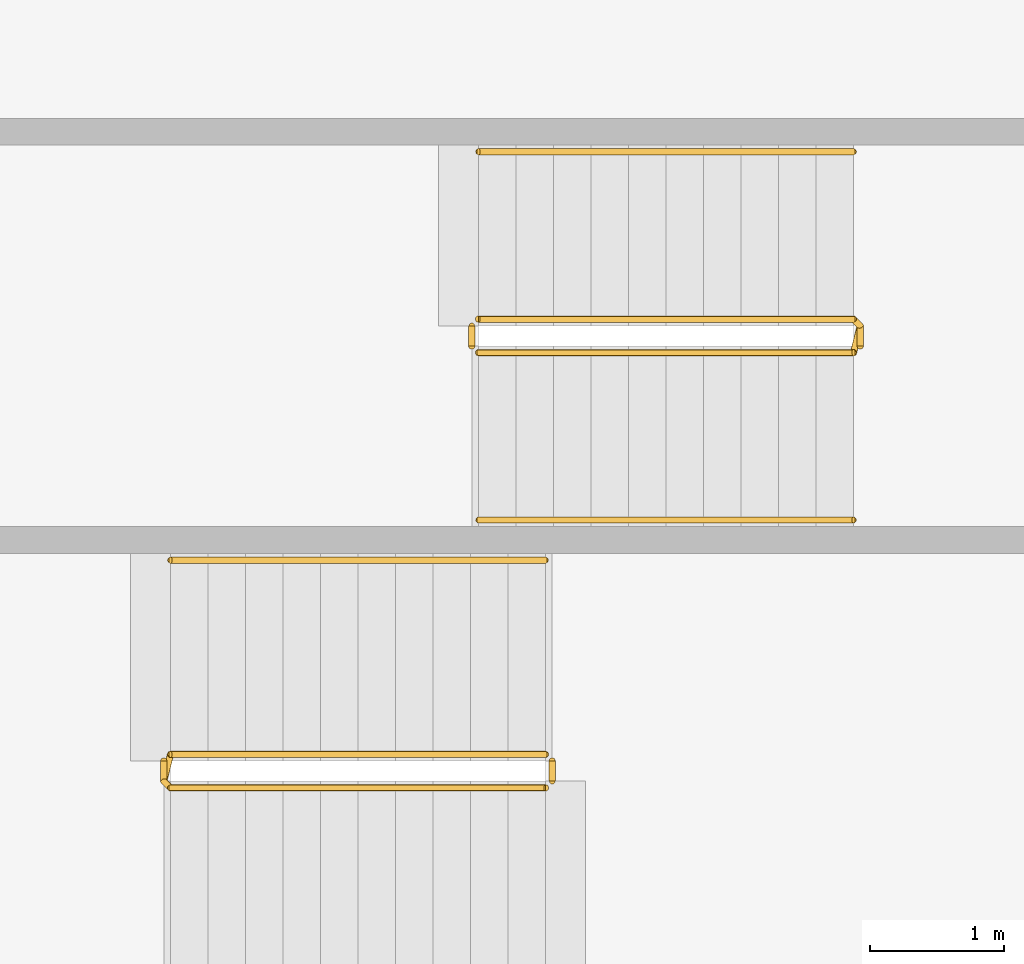
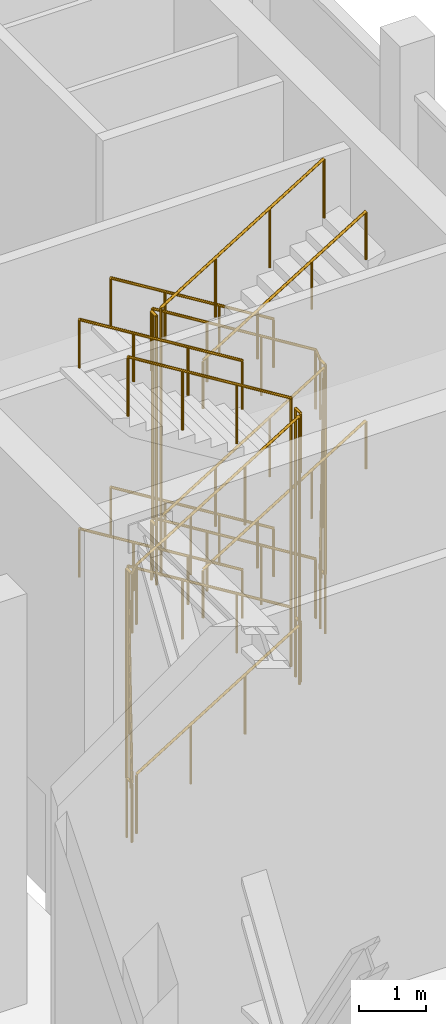
# One storey, part 15 of 15: 10 railings.
"""IFC4 building model written with IfcOpenShell, lengths in metres."""

from ifc_helpers import new_model, si_unit, direction, frame, origin, origin_2d, place, context, subcontext, project, spatial, circle, extrude, material, type_object, element, save


model = new_model("IFC4")

# Units and contexts
model_context = context("Model", 3, precision=1e-05, world=origin(), true_north=direction((0.0, 1.0)))
body_context = subcontext(model_context, "Body", "Model", "MODEL_VIEW")
ifc_project = project(units=[si_unit("LENGTHUNIT", "METRE"), si_unit("AREAUNIT", "SQUARE_METRE"), si_unit("VOLUMEUNIT", "CUBIC_METRE"), si_unit("PLANEANGLEUNIT", "RADIAN"), si_unit("MASSUNIT", "GRAM", prefix="KILO")], contexts=[model_context])

# Site, building, storey
site_placement = place(None, origin())
site = spatial("IfcSite", under=ifc_project, at=site_placement, CompositionType="ELEMENT")
building_placement = place(site_placement, origin())
building = spatial("IfcBuilding", under=site, at=building_placement, Name="Zarbagh Exchange Tower", CompositionType="ELEMENT")
storey_placement = place(building_placement, frame((0.0, 0.0, 284.0)))
storey = spatial("IfcBuildingStorey", under=building, at=storey_placement, Name="L70", CompositionType="ELEMENT", Elevation=284.0)

# Railings
ifc_material = material(Name="Stainless steel", Category="steel")
railing_type_1 = type_object("IfcRailingType", Name="Stair guard 1100 mm", PredefinedType="GUARDRAIL", material=ifc_material)
railing_1_placement = place(storey_placement, frame((2.64990234375, 16.75, 0.172607421875)))
element("IfcRailing", 1, at=railing_1_placement, inside=storey, type_object=railing_type_1, Name="ST1 stair guard 1", PredefinedType="GUARDRAIL", context=body_context, shape_type="SweptSolid", body=[
    extrude(circle(Radius=0.02392578125, at=origin_2d()), frame((0.0, 0.0, 1.076171875), z_axis=(-0.851069175582, 0.0, 0.525053576669), x_axis=(0.0, -1.0, 0.0)), (0.0, 0.0, 1.0), 3.289794921875),
    extrude(circle(Radius=0.02392578125, at=origin_2d()), frame((-2.7998046875, 0.0, 2.80322265625), z_axis=(0.0, 0.0, 1.0), x_axis=(1.0, 0.0, 0.0)), (0.0, 0.0, 1.0), 3.800048828125),
    extrude(circle(Radius=0.02392578125, at=origin_2d()), frame((-2.7998046875, 0.0, 6.603515625), z_axis=(0.851069175582, 0.0, -0.525053576669), x_axis=(0.0, 1.0, 0.0)), (0.0, 0.0, 1.0), 3.289794921875),
    extrude(circle(Radius=0.02392578125, at=origin_2d()), frame((0.0, 0.0, 4.8759765625), z_axis=(0.268277960024, -0.268277960024, -0.925231793839), x_axis=(0.707106781187, 0.707106781187, 0.0)), (0.0, 0.0, 1.0), 0.1865234375),
    extrude(circle(Radius=0.02392578125, at=origin_2d()), frame((0.050048828125, -0.050048828125, 4.70361328125), z_axis=(0.0, -1.0, 0.0), x_axis=(1.0, 0.0, 0.0)), (0.0, 0.0, 1.0), 0.14990234375),
    extrude(circle(Radius=0.02392578125, at=origin_2d()), frame((0.050048828125, -0.199951171875, 4.70361328125), z_axis=(0.0, 0.0, -1.0), x_axis=(1.0, 0.0, 0.0)), (0.0, 0.0, 1.0), 3.800048828125),
    extrude(circle(Radius=0.02392578125, at=origin_2d()), frame((0.050048828125, -0.199951171875, 0.9033203125), z_axis=(0.0, 1.0, 0.0), x_axis=(-1.0, 0.0, 0.0)), (0.0, 0.0, 1.0), 0.14990234375),
    extrude(circle(Radius=0.02392578125, at=origin_2d()), frame((0.050048828125, -0.050048828125, 0.9033203125), z_axis=(-0.013151242926, -0.052540819299, 0.998532176305), x_axis=(0.970072785993, -0.242814311512, 0.0)), (0.0, 0.0, 1.0), 3.8056640625),
    extrude(circle(Radius=0.02392578125, at=origin_2d()), frame((0.0, -0.25, 4.70361328125), z_axis=(-0.851069175582, 0.0, -0.525053576669), x_axis=(0.0, -1.0, 0.0)), (0.0, 0.0, 1.0), 3.289794921875),
    extrude(circle(Radius=0.02392578125, at=origin_2d()), frame((-2.7998046875, -0.25, 2.97607421875), z_axis=(0.0, 0.0, 1.0), x_axis=(1.0, 0.0, 0.0)), (0.0, 0.0, 1.0), 3.800048828125),
    extrude(circle(Radius=0.02392578125, at=origin_2d()), frame((-2.7998046875, -0.25, 6.7763671875), z_axis=(0.851069175582, 0.0, 0.525053576669), x_axis=(0.0, 1.0, 0.0)), (0.0, 0.0, 1.0), 3.289794921875),
    extrude(circle(Radius=0.02099609375, at=origin_2d()), origin(), (0.0, 0.0, 1.0), 1.052001953125),
    extrude(circle(Radius=0.02099609375, at=origin_2d()), frame((-0.933349609375, 0.0, 0.57568359375)), (0.0, 0.0, 1.0), 1.052001953125),
    extrude(circle(Radius=0.02099609375, at=origin_2d()), frame((-1.866455078125, 0.0, 1.151611328125)), (0.0, 0.0, 1.0), 1.052001953125),
    extrude(circle(Radius=0.02099609375, at=origin_2d()), frame((-2.7998046875, 0.0, 1.727294921875)), (0.0, 0.0, 1.0), 1.052001953125),
    extrude(circle(Radius=0.02099609375, at=origin_2d()), frame((-2.7998046875, 0.0, 2.67724609375)), (0.0, 0.0, 1.0), 1.052001953125),
    extrude(circle(Radius=0.02099609375, at=origin_2d()), frame((-2.7998046875, 0.0, 3.62744140625)), (0.0, 0.0, 1.0), 1.052001953125),
    extrude(circle(Radius=0.02099609375, at=origin_2d()), frame((-2.7998046875, 0.0, 4.577392578125)), (0.0, 0.0, 1.0), 1.052001953125),
    extrude(circle(Radius=0.02099609375, at=origin_2d()), frame((-2.7998046875, 0.0, 5.52734375)), (0.0, 0.0, 1.0), 1.052001953125),
    extrude(circle(Radius=0.02099609375, at=origin_2d()), frame((-1.866455078125, 0.0, 4.95166015625)), (0.0, 0.0, 1.0), 1.052001953125),
    extrude(circle(Radius=0.02099609375, at=origin_2d()), frame((-0.933349609375, 0.0, 4.375732421875)), (0.0, 0.0, 1.0), 1.052001953125),
    extrude(circle(Radius=0.02099609375, at=origin_2d()), frame((0.0, 0.0, 3.800048828125)), (0.0, 0.0, 1.0), 1.052001953125),
    extrude(circle(Radius=0.02099609375, at=origin_2d()), frame((0.050048828125, -0.050048828125, 3.62744140625)), (0.0, 0.0, 1.0), 1.052001953125),
    extrude(circle(Radius=0.02099609375, at=origin_2d()), frame((0.050048828125, -0.199951171875, 3.62744140625)), (0.0, 0.0, 1.0), 1.052001953125),
    extrude(circle(Radius=0.02099609375, at=origin_2d()), frame((0.050048828125, -0.199951171875, 2.677490234375)), (0.0, 0.0, 1.0), 1.052001953125),
    extrude(circle(Radius=0.02099609375, at=origin_2d()), frame((0.050048828125, -0.199951171875, 1.7275390625)), (0.0, 0.0, 1.0), 1.052001953125),
    extrude(circle(Radius=0.02099609375, at=origin_2d()), frame((0.050048828125, -0.199951171875, 0.77734375)), (0.0, 0.0, 1.0), 1.052001953125),
    extrude(circle(Radius=0.02099609375, at=origin_2d()), frame((0.050048828125, -0.199951171875, -0.172607421875)), (0.0, 0.0, 1.0), 1.052001953125),
    extrude(circle(Radius=0.02099609375, at=origin_2d()), frame((0.050048828125, -0.050048828125, -0.172607421875)), (0.0, 0.0, 1.0), 1.052001953125),
    extrude(circle(Radius=0.02099609375, at=origin_2d()), frame((0.03759765625, -0.10009765625, 0.77734375)), (0.0, 0.0, 1.0), 1.052001953125),
    extrude(circle(Radius=0.02099609375, at=origin_2d()), frame((0.02490234375, -0.14990234375, 1.7275390625)), (0.0, 0.0, 1.0), 1.052001953125),
    extrude(circle(Radius=0.02099609375, at=origin_2d()), frame((0.012451171875, -0.199951171875, 2.677490234375)), (0.0, 0.0, 1.0), 1.052001953125),
    extrude(circle(Radius=0.02099609375, at=origin_2d()), frame((0.0, -0.25, 3.62744140625)), (0.0, 0.0, 1.0), 1.052001953125),
    extrude(circle(Radius=0.02099609375, at=origin_2d()), frame((-0.933349609375, -0.25, 3.0517578125)), (0.0, 0.0, 1.0), 1.052001953125),
    extrude(circle(Radius=0.02099609375, at=origin_2d()), frame((-1.866455078125, -0.25, 2.475830078125)), (0.0, 0.0, 1.0), 1.052001953125),
    extrude(circle(Radius=0.02099609375, at=origin_2d()), frame((-2.7998046875, -0.25, 1.900146484375)), (0.0, 0.0, 1.0), 1.052001953125),
    extrude(circle(Radius=0.02099609375, at=origin_2d()), frame((-2.7998046875, -0.25, 2.85009765625)), (0.0, 0.0, 1.0), 1.052001953125),
    extrude(circle(Radius=0.02099609375, at=origin_2d()), frame((-2.7998046875, -0.25, 3.80029296875)), (0.0, 0.0, 1.0), 1.052001953125),
    extrude(circle(Radius=0.02099609375, at=origin_2d()), frame((-2.7998046875, -0.25, 4.750244140625)), (0.0, 0.0, 1.0), 1.052001953125),
    extrude(circle(Radius=0.02099609375, at=origin_2d()), frame((-2.7998046875, -0.25, 5.7001953125)), (0.0, 0.0, 1.0), 1.052001953125),
    extrude(circle(Radius=0.02099609375, at=origin_2d()), frame((-1.866455078125, -0.25, 6.27587890625)), (0.0, 0.0, 1.0), 1.052001953125),
    extrude(circle(Radius=0.02099609375, at=origin_2d()), frame((-0.933349609375, -0.25, 6.851806640625)), (0.0, 0.0, 1.0), 1.052001953125),
    extrude(circle(Radius=0.02099609375, at=origin_2d()), frame((0.0, -0.25, 7.427490234375)), (0.0, 0.0, 1.0), 1.052001953125),
])
railing_2_placement = place(storey_placement, frame((-0.199951171875, 16.699951171875, 1.89990234375)))
element("IfcRailing", 2, at=railing_2_placement, inside=storey, type_object=railing_type_1, Name="ST1 stair guard 2", PredefinedType="GUARDRAIL", context=body_context, shape_type="SweptSolid", body=[
    extrude(circle(Radius=0.02392578125, at=origin_2d()), frame((0.0, 0.0, 1.076171875), z_axis=(0.0, -1.0, 0.0), x_axis=(1.0, 0.0, 0.0)), (0.0, 0.0, 1.0), 0.14990234375),
    extrude(circle(Radius=0.02392578125, at=origin_2d()), frame((0.0, -0.14990234375, 1.076171875), z_axis=(0.0, 0.0, 1.0), x_axis=(1.0, 0.0, 0.0)), (0.0, 0.0, 1.0), 3.800048828125),
    extrude(circle(Radius=0.02392578125, at=origin_2d()), frame((0.0, -0.14990234375, 4.8759765625), z_axis=(0.0, 1.0, 0.0), x_axis=(-1.0, 0.0, 0.0)), (0.0, 0.0, 1.0), 0.14990234375),
    extrude(circle(Radius=0.02099609375, at=origin_2d()), origin(), (0.0, 0.0, 1.0), 1.052001953125),
    extrude(circle(Radius=0.02099609375, at=origin_2d()), frame((0.0, -0.14990234375, 0.0)), (0.0, 0.0, 1.0), 1.052001953125),
    extrude(circle(Radius=0.02099609375, at=origin_2d()), frame((0.0, -0.14990234375, 0.949951171875)), (0.0, 0.0, 1.0), 1.052001953125),
    extrude(circle(Radius=0.02099609375, at=origin_2d()), frame((0.0, -0.14990234375, 1.89990234375)), (0.0, 0.0, 1.0), 1.052001953125),
    extrude(circle(Radius=0.02099609375, at=origin_2d()), frame((0.0, -0.14990234375, 2.85009765625)), (0.0, 0.0, 1.0), 1.052001953125),
    extrude(circle(Radius=0.02099609375, at=origin_2d()), frame((0.0, -0.14990234375, 3.800048828125)), (0.0, 0.0, 1.0), 1.052001953125),
    extrude(circle(Radius=0.02099609375, at=origin_2d()), frame((0.0, 0.0, 3.800048828125)), (0.0, 0.0, 1.0), 1.052001953125),
])
railing_3_placement = place(storey_placement, frame((-2.449951171875, 13.25, 0.172607421875)))
element("IfcRailing", 3, at=railing_3_placement, inside=storey, type_object=railing_type_1, Name="ST2 stair guard 1", PredefinedType="GUARDRAIL", context=body_context, shape_type="SweptSolid", body=[
    extrude(circle(Radius=0.02392578125, at=origin_2d()), frame((0.0, 0.0, 1.076171875), z_axis=(0.851089632645, 0.0, 0.525020415988), x_axis=(0.0, 1.0, 0.0)), (0.0, 0.0, 1.0), 3.2900390625),
    extrude(circle(Radius=0.02392578125, at=origin_2d()), frame((2.800048828125, 0.0, 2.80322265625), z_axis=(0.0, 0.0, 1.0), x_axis=(1.0, 0.0, 0.0)), (0.0, 0.0, 1.0), 3.800048828125),
    extrude(circle(Radius=0.02392578125, at=origin_2d()), frame((2.800048828125, 0.0, 6.603515625), z_axis=(-0.851089632645, 0.0, -0.525020415988), x_axis=(0.0, -1.0, 0.0)), (0.0, 0.0, 1.0), 3.2900390625),
    extrude(circle(Radius=0.02392578125, at=origin_2d()), frame((0.0, 0.0, 4.8759765625), z_axis=(-0.268277960024, 0.268277960024, -0.925231793839), x_axis=(-0.707106781187, -0.707106781187, 0.0)), (0.0, 0.0, 1.0), 0.1865234375),
    extrude(circle(Radius=0.02392578125, at=origin_2d()), frame((-0.050048828125, 0.050048828125, 4.70361328125), z_axis=(0.0, 1.0, 0.0), x_axis=(-1.0, 0.0, 0.0)), (0.0, 0.0, 1.0), 0.14990234375),
    extrude(circle(Radius=0.02392578125, at=origin_2d()), frame((-0.050048828125, 0.199951171875, 4.70361328125), z_axis=(0.0, 0.0, -1.0), x_axis=(1.0, 0.0, 0.0)), (0.0, 0.0, 1.0), 3.800048828125),
    extrude(circle(Radius=0.02392578125, at=origin_2d()), frame((-0.050048828125, 0.199951171875, 0.9033203125), z_axis=(0.0, -1.0, 0.0), x_axis=(1.0, 0.0, 0.0)), (0.0, 0.0, 1.0), 0.14990234375),
    extrude(circle(Radius=0.02392578125, at=origin_2d()), frame((-0.050048828125, 0.050048828125, 0.9033203125), z_axis=(0.013151242926, 0.052540819299, 0.998532176305), x_axis=(-0.970072785993, 0.242814311512, 0.0)), (0.0, 0.0, 1.0), 3.8056640625),
    extrude(circle(Radius=0.02392578125, at=origin_2d()), frame((0.0, 0.25, 4.70361328125), z_axis=(0.851089632645, 0.0, -0.525020415988), x_axis=(0.0, 1.0, 0.0)), (0.0, 0.0, 1.0), 3.2900390625),
    extrude(circle(Radius=0.02392578125, at=origin_2d()), frame((2.800048828125, 0.25, 2.97607421875), z_axis=(0.0, 0.0, 1.0), x_axis=(1.0, 0.0, 0.0)), (0.0, 0.0, 1.0), 3.800048828125),
    extrude(circle(Radius=0.02392578125, at=origin_2d()), frame((2.800048828125, 0.25, 6.7763671875), z_axis=(-0.851089632645, 0.0, 0.525020415988), x_axis=(0.0, -1.0, 0.0)), (0.0, 0.0, 1.0), 3.2900390625),
    extrude(circle(Radius=0.02099609375, at=origin_2d()), origin(), (0.0, 0.0, 1.0), 1.052001953125),
    extrude(circle(Radius=0.02099609375, at=origin_2d()), frame((0.933349609375, 0.0, 0.57568359375)), (0.0, 0.0, 1.0), 1.052001953125),
    extrude(circle(Radius=0.02099609375, at=origin_2d()), frame((1.86669921875, 0.0, 1.151611328125)), (0.0, 0.0, 1.0), 1.052001953125),
    extrude(circle(Radius=0.02099609375, at=origin_2d()), frame((2.800048828125, 0.0, 1.727294921875)), (0.0, 0.0, 1.0), 1.052001953125),
    extrude(circle(Radius=0.02099609375, at=origin_2d()), frame((2.800048828125, 0.0, 2.67724609375)), (0.0, 0.0, 1.0), 1.052001953125),
    extrude(circle(Radius=0.02099609375, at=origin_2d()), frame((2.800048828125, 0.0, 3.62744140625)), (0.0, 0.0, 1.0), 1.052001953125),
    extrude(circle(Radius=0.02099609375, at=origin_2d()), frame((2.800048828125, 0.0, 4.577392578125)), (0.0, 0.0, 1.0), 1.052001953125),
    extrude(circle(Radius=0.02099609375, at=origin_2d()), frame((2.800048828125, 0.0, 5.52734375)), (0.0, 0.0, 1.0), 1.052001953125),
    extrude(circle(Radius=0.02099609375, at=origin_2d()), frame((1.86669921875, 0.0, 4.95166015625)), (0.0, 0.0, 1.0), 1.052001953125),
    extrude(circle(Radius=0.02099609375, at=origin_2d()), frame((0.933349609375, 0.0, 4.375732421875)), (0.0, 0.0, 1.0), 1.052001953125),
    extrude(circle(Radius=0.02099609375, at=origin_2d()), frame((0.0, 0.0, 3.800048828125)), (0.0, 0.0, 1.0), 1.052001953125),
    extrude(circle(Radius=0.02099609375, at=origin_2d()), frame((-0.050048828125, 0.050048828125, 3.62744140625)), (0.0, 0.0, 1.0), 1.052001953125),
    extrude(circle(Radius=0.02099609375, at=origin_2d()), frame((-0.050048828125, 0.199951171875, 3.62744140625)), (0.0, 0.0, 1.0), 1.052001953125),
    extrude(circle(Radius=0.02099609375, at=origin_2d()), frame((-0.050048828125, 0.199951171875, 2.677490234375)), (0.0, 0.0, 1.0), 1.052001953125),
    extrude(circle(Radius=0.02099609375, at=origin_2d()), frame((-0.050048828125, 0.199951171875, 1.7275390625)), (0.0, 0.0, 1.0), 1.052001953125),
    extrude(circle(Radius=0.02099609375, at=origin_2d()), frame((-0.050048828125, 0.199951171875, 0.77734375)), (0.0, 0.0, 1.0), 1.052001953125),
    extrude(circle(Radius=0.02099609375, at=origin_2d()), frame((-0.050048828125, 0.199951171875, -0.172607421875)), (0.0, 0.0, 1.0), 1.052001953125),
    extrude(circle(Radius=0.02099609375, at=origin_2d()), frame((-0.050048828125, 0.050048828125, -0.172607421875)), (0.0, 0.0, 1.0), 1.052001953125),
    extrude(circle(Radius=0.02099609375, at=origin_2d()), frame((-0.03759765625, 0.10009765625, 0.77734375)), (0.0, 0.0, 1.0), 1.052001953125),
    extrude(circle(Radius=0.02099609375, at=origin_2d()), frame((-0.02490234375, 0.14990234375, 1.7275390625)), (0.0, 0.0, 1.0), 1.052001953125),
    extrude(circle(Radius=0.02099609375, at=origin_2d()), frame((-0.012451171875, 0.199951171875, 2.677490234375)), (0.0, 0.0, 1.0), 1.052001953125),
    extrude(circle(Radius=0.02099609375, at=origin_2d()), frame((0.0, 0.25, 3.62744140625)), (0.0, 0.0, 1.0), 1.052001953125),
    extrude(circle(Radius=0.02099609375, at=origin_2d()), frame((0.933349609375, 0.25, 3.0517578125)), (0.0, 0.0, 1.0), 1.052001953125),
    extrude(circle(Radius=0.02099609375, at=origin_2d()), frame((1.86669921875, 0.25, 2.475830078125)), (0.0, 0.0, 1.0), 1.052001953125),
    extrude(circle(Radius=0.02099609375, at=origin_2d()), frame((2.800048828125, 0.25, 1.900146484375)), (0.0, 0.0, 1.0), 1.052001953125),
    extrude(circle(Radius=0.02099609375, at=origin_2d()), frame((2.800048828125, 0.25, 2.85009765625)), (0.0, 0.0, 1.0), 1.052001953125),
    extrude(circle(Radius=0.02099609375, at=origin_2d()), frame((2.800048828125, 0.25, 3.80029296875)), (0.0, 0.0, 1.0), 1.052001953125),
    extrude(circle(Radius=0.02099609375, at=origin_2d()), frame((2.800048828125, 0.25, 4.750244140625)), (0.0, 0.0, 1.0), 1.052001953125),
    extrude(circle(Radius=0.02099609375, at=origin_2d()), frame((2.800048828125, 0.25, 5.7001953125)), (0.0, 0.0, 1.0), 1.052001953125),
    extrude(circle(Radius=0.02099609375, at=origin_2d()), frame((1.86669921875, 0.25, 6.27587890625)), (0.0, 0.0, 1.0), 1.052001953125),
    extrude(circle(Radius=0.02099609375, at=origin_2d()), frame((0.933349609375, 0.25, 6.851806640625)), (0.0, 0.0, 1.0), 1.052001953125),
    extrude(circle(Radius=0.02099609375, at=origin_2d()), frame((0.0, 0.25, 7.427490234375)), (0.0, 0.0, 1.0), 1.052001953125),
])
railing_4_placement = place(storey_placement, frame((0.39990234375, 13.300048828125, 1.89990234375)))
element("IfcRailing", 4, at=railing_4_placement, inside=storey, type_object=railing_type_1, Name="ST2 stair guard 2", PredefinedType="GUARDRAIL", context=body_context, shape_type="SweptSolid", body=[
    extrude(circle(Radius=0.02392578125, at=origin_2d()), frame((0.0, 0.0, 1.076171875), z_axis=(0.0, 1.0, 0.0), x_axis=(-1.0, 0.0, 0.0)), (0.0, 0.0, 1.0), 0.14990234375),
    extrude(circle(Radius=0.02392578125, at=origin_2d()), frame((0.0, 0.14990234375, 1.076171875), z_axis=(0.0, 0.0, 1.0), x_axis=(1.0, 0.0, 0.0)), (0.0, 0.0, 1.0), 3.800048828125),
    extrude(circle(Radius=0.02392578125, at=origin_2d()), frame((0.0, 0.14990234375, 4.8759765625), z_axis=(0.0, -1.0, 0.0), x_axis=(1.0, 0.0, 0.0)), (0.0, 0.0, 1.0), 0.14990234375),
    extrude(circle(Radius=0.02099609375, at=origin_2d()), origin(), (0.0, 0.0, 1.0), 1.052001953125),
    extrude(circle(Radius=0.02099609375, at=origin_2d()), frame((0.0, 0.14990234375, 0.0)), (0.0, 0.0, 1.0), 1.052001953125),
    extrude(circle(Radius=0.02099609375, at=origin_2d()), frame((0.0, 0.14990234375, 0.949951171875)), (0.0, 0.0, 1.0), 1.052001953125),
    extrude(circle(Radius=0.02099609375, at=origin_2d()), frame((0.0, 0.14990234375, 1.89990234375)), (0.0, 0.0, 1.0), 1.052001953125),
    extrude(circle(Radius=0.02099609375, at=origin_2d()), frame((0.0, 0.14990234375, 2.85009765625)), (0.0, 0.0, 1.0), 1.052001953125),
    extrude(circle(Radius=0.02099609375, at=origin_2d()), frame((0.0, 0.14990234375, 3.800048828125)), (0.0, 0.0, 1.0), 1.052001953125),
    extrude(circle(Radius=0.02099609375, at=origin_2d()), frame((0.0, 0.0, 3.800048828125)), (0.0, 0.0, 1.0), 1.052001953125),
])
railing_type_2 = type_object("IfcRailingType", Name="Stair handrail 900 mm", PredefinedType="HANDRAIL", material=ifc_material)
railing_5_placement = place(storey_placement, frame((2.64990234375, 18.0, 0.172607421875)))
element("IfcRailing", 5, at=railing_5_placement, inside=storey, type_object=railing_type_2, Name="ST1 stair handrail 1", PredefinedType="HANDRAIL", context=body_context, shape_type="SweptSolid", body=[
    extrude(circle(Radius=0.02392578125, at=origin_2d()), frame((0.0, 0.0, 0.8759765625), z_axis=(-0.851069175582, 0.0, 0.525053576669), x_axis=(0.0, -1.0, 0.0)), (0.0, 0.0, 1.0), 3.289794921875),
    extrude(circle(Radius=0.02099609375, at=origin_2d()), origin(), (0.0, 0.0, 1.0), 0.851806640625),
    extrude(circle(Radius=0.02099609375, at=origin_2d()), frame((-0.933349609375, 0.0, 0.57568359375)), (0.0, 0.0, 1.0), 0.851806640625),
    extrude(circle(Radius=0.02099609375, at=origin_2d()), frame((-1.866455078125, 0.0, 1.151611328125)), (0.0, 0.0, 1.0), 0.851806640625),
    extrude(circle(Radius=0.02099609375, at=origin_2d()), frame((-2.7998046875, 0.0, 1.727294921875)), (0.0, 0.0, 1.0), 0.851806640625),
])
railing_6_placement = place(storey_placement, frame((-0.14990234375, 15.25, 2.07275390625)))
element("IfcRailing", 6, at=railing_6_placement, inside=storey, type_object=railing_type_2, Name="ST1 stair handrail 2", PredefinedType="HANDRAIL", context=body_context, shape_type="SweptSolid", body=[
    extrude(circle(Radius=0.02392578125, at=origin_2d()), frame((0.0, 0.0, 0.8759765625), z_axis=(0.851069175582, 0.0, 0.525053576669), x_axis=(0.0, 1.0, 0.0)), (0.0, 0.0, 1.0), 3.289794921875),
    extrude(circle(Radius=0.02099609375, at=origin_2d()), origin(), (0.0, 0.0, 1.0), 0.851806640625),
    extrude(circle(Radius=0.02099609375, at=origin_2d()), frame((0.933349609375, 0.0, 0.57568359375)), (0.0, 0.0, 1.0), 0.851806640625),
    extrude(circle(Radius=0.02099609375, at=origin_2d()), frame((1.866455078125, 0.0, 1.151611328125)), (0.0, 0.0, 1.0), 0.851806640625),
    extrude(circle(Radius=0.02099609375, at=origin_2d()), frame((2.7998046875, 0.0, 1.727294921875)), (0.0, 0.0, 1.0), 0.851806640625),
])
railing_7_placement = place(storey_placement, frame((2.64990234375, 18.0, 3.97265625)))
element("IfcRailing", 7, at=railing_7_placement, inside=storey, type_object=railing_type_2, Name="ST1 stair handrail 3", PredefinedType="HANDRAIL", context=body_context, shape_type="SweptSolid", body=[
    extrude(circle(Radius=0.02392578125, at=origin_2d()), frame((0.0, 0.0, 0.8759765625), z_axis=(-0.851069175582, 0.0, 0.525053576669), x_axis=(0.0, -1.0, 0.0)), (0.0, 0.0, 1.0), 3.289794921875),
    extrude(circle(Radius=0.02099609375, at=origin_2d()), origin(), (0.0, 0.0, 1.0), 0.851806640625),
    extrude(circle(Radius=0.02099609375, at=origin_2d()), frame((-0.933349609375, 0.0, 0.57568359375)), (0.0, 0.0, 1.0), 0.851806640625),
    extrude(circle(Radius=0.02099609375, at=origin_2d()), frame((-1.866455078125, 0.0, 1.151611328125)), (0.0, 0.0, 1.0), 0.851806640625),
    extrude(circle(Radius=0.02099609375, at=origin_2d()), frame((-2.7998046875, 0.0, 1.727294921875)), (0.0, 0.0, 1.0), 0.851806640625),
])
railing_8_placement = place(storey_placement, frame((-0.14990234375, 15.25, 5.872802734375)))
element("IfcRailing", 8, at=railing_8_placement, inside=storey, type_object=railing_type_2, Name="ST1 stair handrail 4", PredefinedType="HANDRAIL", context=body_context, shape_type="SweptSolid", body=[
    extrude(circle(Radius=0.02392578125, at=origin_2d()), frame((0.0, 0.0, 0.8759765625), z_axis=(0.851069175582, 0.0, 0.525053576669), x_axis=(0.0, 1.0, 0.0)), (0.0, 0.0, 1.0), 3.289794921875),
    extrude(circle(Radius=0.02099609375, at=origin_2d()), origin(), (0.0, 0.0, 1.0), 0.851806640625),
    extrude(circle(Radius=0.02099609375, at=origin_2d()), frame((0.933349609375, 0.0, 0.57568359375)), (0.0, 0.0, 1.0), 0.851806640625),
    extrude(circle(Radius=0.02099609375, at=origin_2d()), frame((1.866455078125, 0.0, 1.151611328125)), (0.0, 0.0, 1.0), 0.851806640625),
    extrude(circle(Radius=0.02099609375, at=origin_2d()), frame((2.7998046875, 0.0, 1.727294921875)), (0.0, 0.0, 1.0), 0.851806640625),
])
for number, where, name in (
    (9, (0.35009765625, 14.949951171875, 2.07275390625), "ST2 stair handrail 2"),
    (10, (0.35009765625, 14.949951171875, 5.872802734375), "ST2 stair handrail 4"),
):
    element("IfcRailing", number, at=place(storey_placement, frame(where)), inside=storey, type_object=railing_type_2, Name=name, PredefinedType="HANDRAIL", context=body_context, shape_type="SweptSolid", body=[
        extrude(circle(Radius=0.02392578125, at=origin_2d()), frame((0.0, 0.0, 0.8759765625), z_axis=(-0.851089632645, 0.0, 0.525020415988), x_axis=(0.0, -1.0, 0.0)), (0.0, 0.0, 1.0), 3.2900390625),
        extrude(circle(Radius=0.02099609375, at=origin_2d()), origin(), (0.0, 0.0, 1.0), 0.851806640625),
        extrude(circle(Radius=0.02099609375, at=origin_2d()), frame((-0.933349609375, 0.0, 0.57568359375)), (0.0, 0.0, 1.0), 0.851806640625),
        extrude(circle(Radius=0.02099609375, at=origin_2d()), frame((-1.86669921875, 0.0, 1.151611328125)), (0.0, 0.0, 1.0), 0.851806640625),
        extrude(circle(Radius=0.02099609375, at=origin_2d()), frame((-2.800048828125, 0.0, 1.727294921875)), (0.0, 0.0, 1.0), 0.851806640625),
    ])

save(model, "model.ifc")
